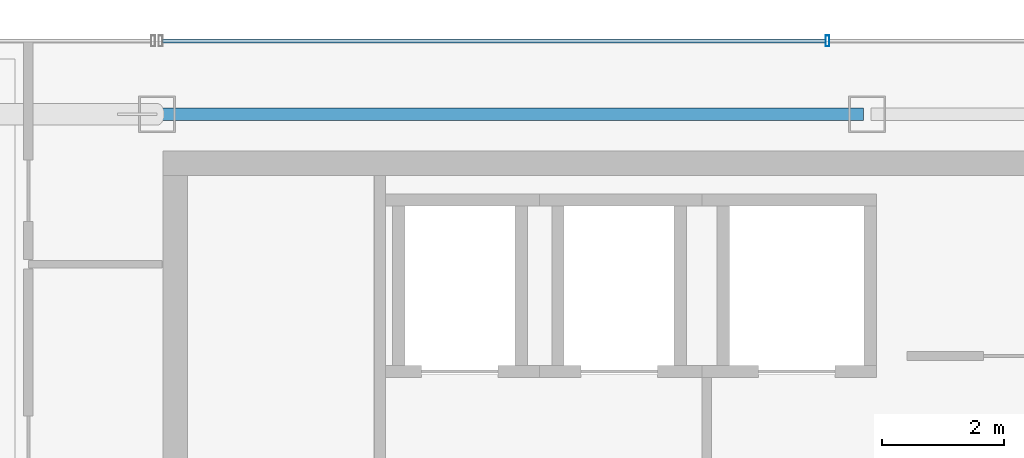
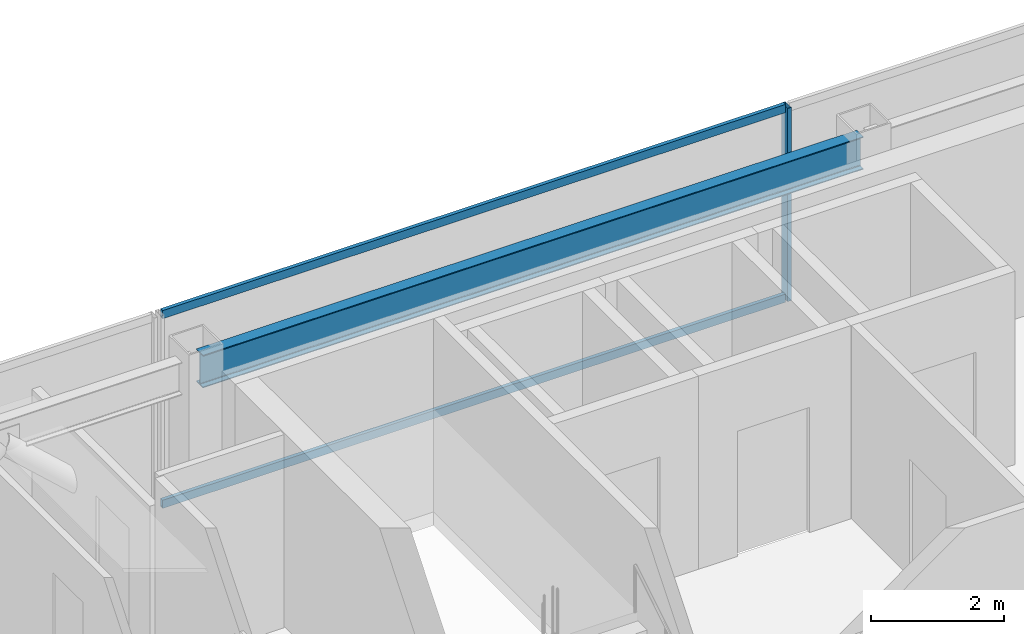
# One storey, part 5 of 17: 3 members, 1 beam, 1 element without a shape of its own.
"""IFC4 building model written with IfcOpenShell, lengths in metres."""

from ifc_helpers import new_model, si_unit, direction, frame, origin, origin_2d, place, context, subcontext, project, spatial, hollow_rectangle, i_section, extrude, material, material_profile, profile_set, type_object, element, aggregate, save


model = new_model("IFC4")

# Units and contexts
model_context = context("Model", 3, precision=1e-05, world=origin(), true_north=direction((0.0, 1.0)))
body_context = subcontext(model_context, "Body", "Model", "MODEL_VIEW")
ifc_project = project(units=[si_unit("LENGTHUNIT", "METRE"), si_unit("AREAUNIT", "SQUARE_METRE"), si_unit("VOLUMEUNIT", "CUBIC_METRE"), si_unit("PLANEANGLEUNIT", "RADIAN"), si_unit("MASSUNIT", "GRAM", prefix="KILO")], contexts=[model_context])

# Site, building, storey
site_placement = place(None, origin())
site = spatial("IfcSite", under=ifc_project, at=site_placement, CompositionType="ELEMENT")
building_placement = place(site_placement, origin())
building = spatial("IfcBuilding", under=site, at=building_placement, Name="Saevonmaru Cultural Tower", CompositionType="ELEMENT")
storey_placement = place(building_placement, frame((0.0, 0.0, 310.39990234375)))
storey = spatial("IfcBuildingStorey", under=building, at=storey_placement, Name="L74", CompositionType="ELEMENT", Elevation=310.39990234375)

# Beam
ifc_material_1 = material(Name="Steel SM355", Category="steel")
ifc_material_profile_1 = material_profile(ifc_material_1, i_section(OverallWidth=0.199951171875, OverallDepth=0.60009765625, WebThickness=0.010986328125, FlangeThickness=0.01708984375, FilletRadius=0.02197265625, at=origin_2d()), Name="H-600x200x11x17")
ifc_profile_set_1 = profile_set([ifc_material_profile_1], Name="Steel SM355")
beam_type = type_object("IfcBeamType", Name="BM-SP-H600", PredefinedType="SPANDREL", material=ifc_profile_set_1)
beam_placement = place(storey_placement, frame((13.659912109375, 54.800048828125, 3.25), z_axis=(1.0, 0.0, 0.0), x_axis=(0.0, 1.0, 0.0)))
element("IfcBeam", 1, at=beam_placement, inside=storey, type_object=beam_type, Name="L74 North Spine Girder 2", PredefinedType="SPANDREL", context=body_context, shape_type="SweptSolid", body=[
    extrude(i_section(OverallWidth=0.199951171875, OverallDepth=0.60009765625, WebThickness=0.010986328125, FlangeThickness=0.01708984375, FilletRadius=0.02197265625, at=origin_2d()), origin(), (0.0, 0.0, 1.0), 11.47998046875),
])

# Curtain wall, members
ifc_material_2 = material(Name="Satin Bronze Anodised Aluminium", Category="aluminium")
curtain_wall_type = type_object("IfcCurtainWallType", Name="CW-TYP-B", PredefinedType="NOTDEFINED", material=ifc_material_2)
curtain_wall_placement = place(storey_placement, origin())
curtain_wall = element("IfcCurtainWall", 2, at=curtain_wall_placement, inside=storey, type_object=curtain_wall_type, Name="L74 North Spine Unitised Curtain Wall E10B", PredefinedType="NOTDEFINED")
ifc_material_profile_2 = material_profile(ifc_material_2, hollow_rectangle(XDim=0.06494140625, YDim=0.179931640625, WallThickness=0.00390625, at=origin_2d()), Name="ALU-MULL-180x65x4")
ifc_profile_set_2 = profile_set([ifc_material_profile_2], Name="Satin Bronze Anodised Aluminium")
member_type_1 = type_object("IfcMemberType", Name="ML-CW-180x65", PredefinedType="MULLION", material=ifc_profile_set_2)
member_1_placement = place(storey_placement, frame((24.55322265625, 56.0, 0.0), z_axis=(0.0, 0.0, 1.0), x_axis=(-1.0, 0.0, 0.0)))
member_1 = element("IfcMember", 3, at=member_1_placement, type_object=member_type_1, Name="CW-TW-L74-E10B mullion 3", PredefinedType="MULLION", context=body_context, shape_type="SweptSolid", body=[
    extrude(hollow_rectangle(XDim=0.06494140625, YDim=0.179931640625, WallThickness=0.00390625, at=origin_2d()), origin(), (0.0, 0.0, 1.0), 3.550048828125),
])
ifc_material_profile_3 = material_profile(ifc_material_2, hollow_rectangle(XDim=0.06494140625, YDim=0.14990234375, WallThickness=0.00390625, at=origin_2d()), Name="ALU-TRAN-150x65x4")
ifc_profile_set_3 = profile_set([ifc_material_profile_3], Name="Satin Bronze Anodised Aluminium")
member_type_2 = type_object("IfcMemberType", Name="TR-CW-150x65", PredefinedType="USERDEFINED", material=ifc_profile_set_3)
member_2_placement = place(storey_placement, frame((24.520751953125, 56.0, 0.03271484375), z_axis=(-1.0, 0.0, 0.0), x_axis=(0.0, -1.0, 0.0)))
member_2 = element("IfcMember", 4, at=member_2_placement, type_object=member_type_2, Name="CW-TW-L74-E10B transom 3.1", ObjectType="TRANSOM", PredefinedType="USERDEFINED", context=body_context, shape_type="SweptSolid", body=[
    extrude(hollow_rectangle(XDim=0.06494140625, YDim=0.14990234375, WallThickness=0.00390625, at=origin_2d()), origin(), (0.0, 0.0, 1.0), 10.828369140625),
])
member_3_placement = place(storey_placement, frame((24.520751953125, 56.0, 3.517578125), z_axis=(-1.0, 0.0, 0.0), x_axis=(0.0, -1.0, 0.0)))
member_3 = element("IfcMember", 5, at=member_3_placement, type_object=member_type_2, Name="CW-TW-L74-E10B transom 3.2", ObjectType="TRANSOM", PredefinedType="USERDEFINED", context=body_context, shape_type="SweptSolid", body=[
    extrude(hollow_rectangle(XDim=0.06494140625, YDim=0.14990234375, WallThickness=0.00390625, at=origin_2d()), origin(), (0.0, 0.0, 1.0), 10.828369140625),
])
aggregate(curtain_wall, [member_1, member_2, member_3])

save(model, "model.ifc")
